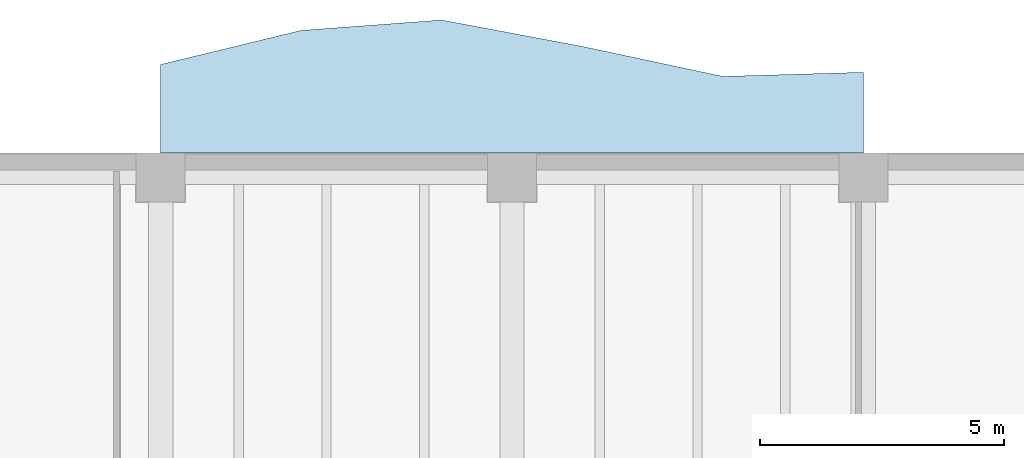
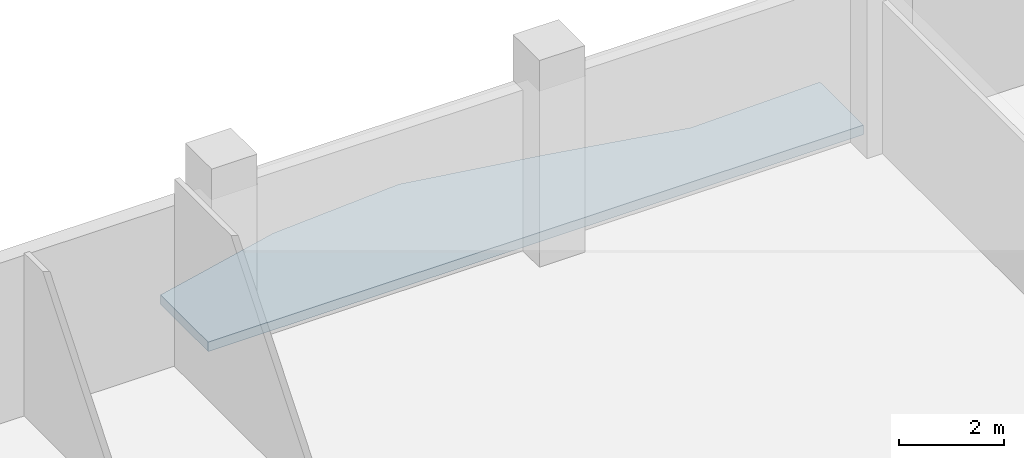
# One storey, part 6 of 16: 1 slab.
"""IFC4 building model written with IfcOpenShell, lengths in metres."""

from ifc_helpers import new_model, si_unit, direction, frame, origin, place, context, subcontext, project, spatial, polyline, outline, extrude, material, layer, layer_set, type_object, element, save


model = new_model("IFC4")

# Units and contexts
model_context = context("Model", 3, precision=1e-05, world=origin(), true_north=direction((0.0, 1.0)))
body_context = subcontext(model_context, "Body", "Model", "MODEL_VIEW")
ifc_project = project(units=[si_unit("LENGTHUNIT", "METRE"), si_unit("AREAUNIT", "SQUARE_METRE"), si_unit("VOLUMEUNIT", "CUBIC_METRE"), si_unit("PLANEANGLEUNIT", "RADIAN"), si_unit("MASSUNIT", "GRAM", prefix="KILO")], contexts=[model_context])

# Site, building, storey
site_placement = place(None, origin())
site = spatial("IfcSite", under=ifc_project, at=site_placement, CompositionType="ELEMENT")
building_placement = place(site_placement, origin())
building = spatial("IfcBuilding", under=site, at=building_placement, Name="Kranthara Brick Stack", CompositionType="ELEMENT")
storey_placement = place(building_placement, frame((0.0, 0.0, 115.5)))
storey = spatial("IfcBuildingStorey", under=building, at=storey_placement, Name="L28", CompositionType="ELEMENT", Elevation=115.5)

# Slab
ifc_material = material(Name="Concrete C45/55", Category="concrete")
ifc_layer = layer(ifc_material, 0.219970703125)
ifc_layer_set = layer_set([ifc_layer], Name="Concrete C45/55")
slab_type = type_object("IfcSlabType", Name="SLB-BALC-220", PredefinedType="FLOOR", material=ifc_layer_set)
slab_placement = place(storey_placement, frame((0.0, 0.0, -0.219970703125)))
element("IfcSlab", 1, at=slab_placement, inside=storey, type_object=slab_type, Name="L28 North Rippling Balcony Slab", PredefinedType="FLOOR", context=body_context, shape_type="SweptSolid", body=[
    extrude(outline(polyline([(35.199951171875, 52.89990234375), (20.800048828125, 52.89990234375), (20.800048828125, 54.71240234375), (23.679931640625, 55.41162109375), (26.56005859375, 55.62451171875), (29.43994140625, 55.08349609375), (32.320068359375, 54.468994140625), (35.199951171875, 54.5537109375), (35.199951171875, 52.89990234375)])), origin(), (0.0, 0.0, 1.0), 0.219970703125),
])

save(model, "model.ifc")
